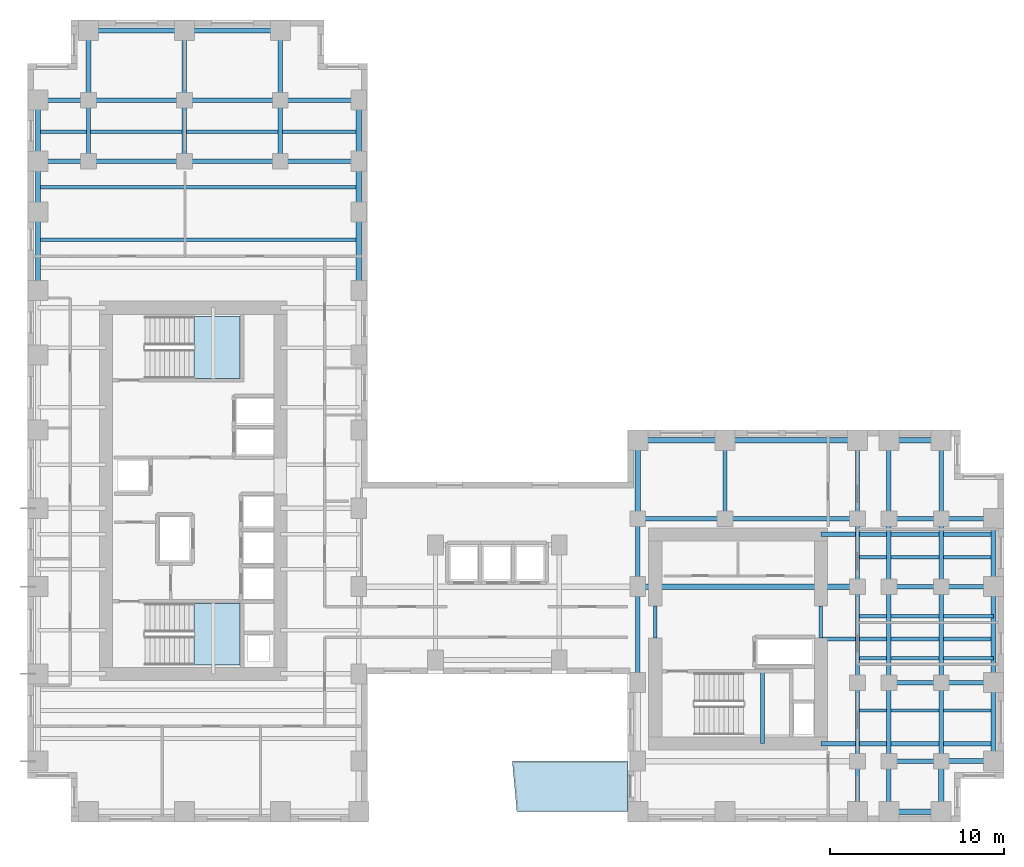
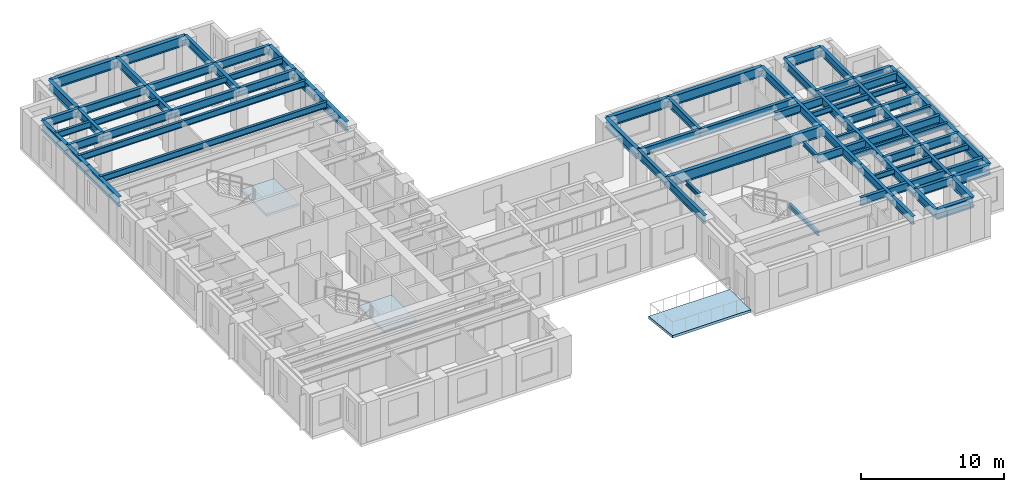
# One storey, part 2 of 12: 72 beams, 3 slabs, 2 elements without a shape of their own.
"""IFC4 building model written with IfcOpenShell, lengths in metres."""

from ifc_helpers import new_model, si_unit, direction, frame, origin, origin_2d, place, context, subcontext, project, spatial, polyline, i_section, outline, extrude, source, transform, mapped, material, layer, layer_set, material_profile, profile_set, type_object, element, aggregate, save


model = new_model("IFC4")

# Units and contexts
model_context = context("Model", 3, precision=1e-05, world=origin(), true_north=direction((0.0, 1.0)))
body_context = subcontext(model_context, "Body", "Model", "MODEL_VIEW")
ifc_project = project(units=[si_unit("LENGTHUNIT", "METRE"), si_unit("AREAUNIT", "SQUARE_METRE"), si_unit("VOLUMEUNIT", "CUBIC_METRE"), si_unit("PLANEANGLEUNIT", "RADIAN"), si_unit("MASSUNIT", "GRAM", prefix="KILO")], contexts=[model_context])

# Site, building, storey
site_placement = place(None, origin())
site = spatial("IfcSite", under=ifc_project, at=site_placement, CompositionType="ELEMENT")
building_placement = place(site_placement, origin())
building = spatial("IfcBuilding", under=site, at=building_placement, Name="Kharzan Plaza Tower", CompositionType="ELEMENT")
storey_placement = place(building_placement, frame((0.0, 0.0, 106.199951171875)))
storey = spatial("IfcBuildingStorey", under=building, at=storey_placement, Name="L28", CompositionType="ELEMENT", Elevation=106.199951171875)

# Beams
ifc_material_1 = material(Name="Steel S355", Category="steel")
ifc_material_profile_1 = material_profile(ifc_material_1, i_section(OverallWidth=0.205078125, OverallDepth=0.35400390625, WebThickness=0.009521484375, FlangeThickness=0.016845703125, at=origin_2d()), Name="W360x79")
ifc_profile_set_1 = profile_set([ifc_material_profile_1], Name="Steel S355")
beam_type_1 = type_object("IfcBeamType", Name="BM-LNT360", PredefinedType="LINTEL", material=ifc_profile_set_1)
shared_shape_1 = source(origin(), body_context, "Body", "SweptSolid", [
    extrude(i_section(OverallWidth=0.205078125, OverallDepth=0.35400390625, WebThickness=0.009521484375, FlangeThickness=0.016845703125, at=origin_2d()), origin(), (0.0, 0.0, 1.0), 1.849853515625),
])
for number, where, z_axis, x_axis, name in (
    (1, (45.5, 10.550048828125, 3.203125), (0.0, 1.0, 0.0), (-1.0, 0.0, 0.0), "L28 CORE-B coupling lintel LN1-WE"),
    (2, (36.0, 10.550048828125, 3.203125), (0.0, 1.0, 0.0), (-1.0, 0.0, 0.0), "L28 CORE-B coupling lintel LN1-WW"),
):
    element("IfcBeam", number, at=place(storey_placement, frame(where, z_axis=z_axis, x_axis=x_axis)), inside=storey, type_object=beam_type_1, Name=name, PredefinedType="LINTEL", context=body_context, shape_type="MappedRepresentation", body=[
        mapped(shared_shape_1, transform((0.0, 0.0, 0.0), x_axis=(1.0, 0.0, 0.0), y_axis=(0.0, 1.0, 0.0), z_axis=(0.0, 0.0, 1.0))),
    ])
shared_shape_2 = source(origin(), body_context, "Body", "SweptSolid", [
    extrude(i_section(OverallWidth=0.205078125, OverallDepth=0.35400390625, WebThickness=0.009521484375, FlangeThickness=0.016845703125, at=origin_2d()), origin(), (0.0, 0.0, 1.0), 4.155029296875),
])
beam_1_placement = place(storey_placement, frame((42.14990234375, 4.5, 1.423095703125), z_axis=(0.0, 1.0, 0.0), x_axis=(-1.0, 0.0, 0.0)))
element("IfcBeam", 3, at=beam_1_placement, inside=storey, type_object=beam_type_1, Name="L28 Stair ST-3 Half-Landing Beam", PredefinedType="LINTEL", context=body_context, shape_type="MappedRepresentation", body=[
    mapped(shared_shape_2, transform((0.0, 0.0, 0.0), x_axis=(1.0, 0.0, 0.0), y_axis=(0.0, 1.0, 0.0), z_axis=(0.0, 0.0, 1.0))),
])
ifc_material_profile_2 = material_profile(ifc_material_1, i_section(OverallWidth=0.304931640625, OverallDepth=0.9189453125, WebThickness=0.017333984375, FlangeThickness=0.02783203125, at=origin_2d()), Name="W920x253")
ifc_profile_set_2 = profile_set([ifc_material_profile_2], Name="Steel S355")
beam_type_2 = type_object("IfcBeamType", Name="BM-FG920B", PredefinedType="BEAM", material=ifc_profile_set_2)
shared_shape_3 = source(origin(), body_context, "Body", "SweptSolid", [
    extrude(i_section(OverallWidth=0.304931640625, OverallDepth=0.9189453125, WebThickness=0.017333984375, FlangeThickness=0.02783203125, at=origin_2d()), origin(), (0.0, 0.0, 1.0), 12.60009765625),
])
beam_2_placement = place(storey_placement, frame((35.0, 13.5, 2.920654296875), z_axis=(1.0, 0.0, 0.0), x_axis=(0.0, 1.0, 0.0)))
element("IfcBeam", 4, at=beam_2_placement, inside=storey, type_object=beam_type_2, Name="L28 Primary Floor Girder", PredefinedType="BEAM", context=body_context, shape_type="MappedRepresentation", body=[
    mapped(shared_shape_3, transform((0.0, 0.0, 0.0), x_axis=(1.0, 0.0, 0.0), y_axis=(0.0, 1.0, 0.0), z_axis=(0.0, 0.0, 1.0))),
])
ifc_material_profile_3 = material_profile(ifc_material_1, i_section(OverallWidth=0.2099609375, OverallDepth=0.537109375, WebThickness=0.010986328125, FlangeThickness=0.017333984375, at=origin_2d()), Name="W530x101")
ifc_profile_set_3 = profile_set([ifc_material_profile_3], Name="Steel S355")
beam_type_3 = type_object("IfcBeamType", Name="BM-JST530B", PredefinedType="JOIST", material=ifc_profile_set_3)
shared_shape_4 = source(origin(), body_context, "Body", "SweptSolid", [
    extrude(i_section(OverallWidth=0.2099609375, OverallDepth=0.537109375, WebThickness=0.010986328125, FlangeThickness=0.017333984375, at=origin_2d()), origin(), (0.0, 0.0, 1.0), 18.39990234375),
])
for number, where, z_axis, x_axis, name in (
    (5, (0.60009765625, 33.39990234375, 3.111572265625), (1.0, 0.0, 0.0), (0.0, 1.0, 0.0), "L28 Wing A Composite Joist 05"),
    (6, (0.60009765625, 36.39990234375, 3.111572265625), (1.0, 0.0, 0.0), (0.0, 1.0, 0.0), "L28 Wing A Composite Joist 06"),
    (7, (0.60009765625, 39.60009765625, 3.111572265625), (1.0, 0.0, 0.0), (0.0, 1.0, 0.0), "L28 Wing A Composite Joist 07"),
):
    element("IfcBeam", number, at=place(storey_placement, frame(where, z_axis=z_axis, x_axis=x_axis)), inside=storey, type_object=beam_type_3, Name=name, PredefinedType="JOIST", context=body_context, shape_type="MappedRepresentation", body=[
        mapped(shared_shape_4, transform((0.0, 0.0, 0.0), x_axis=(1.0, 0.0, 0.0), y_axis=(0.0, 1.0, 0.0), z_axis=(0.0, 0.0, 1.0))),
    ])
ifc_material_profile_4 = material_profile(ifc_material_1, i_section(OverallWidth=0.25390625, OverallDepth=0.68798828125, WebThickness=0.01318359375, FlangeThickness=0.02099609375, at=origin_2d()), Name="W690x152")
ifc_profile_set_4 = profile_set([ifc_material_profile_4], Name="Steel S355")
beam_type_4 = type_object("IfcBeamType", Name="BM-FG690B", PredefinedType="BEAM", material=ifc_profile_set_4)
shared_shape_5 = source(origin(), body_context, "Body", "SweptSolid", [
    extrude(i_section(OverallWidth=0.25390625, OverallDepth=0.68798828125, WebThickness=0.01318359375, FlangeThickness=0.02099609375, at=origin_2d()), origin(), (0.0, 0.0, 1.0), 4.5),
])
for number, where, z_axis, x_axis, name in (
    (8, (40.0, 17.39990234375, 3.0361328125), (0.0, 1.0, 0.0), (-1.0, 0.0, 0.0), "L28 Interior Frame Girder"),
    (9, (47.60009765625, 3.5, 3.0361328125), (0.0, 1.0, 0.0), (-1.0, 0.0, 0.0), "L28 Interior Frame Girder"),
    (10, (47.60009765625, 17.39990234375, 3.0361328125), (0.0, 1.0, 0.0), (-1.0, 0.0, 0.0), "L28 Interior Frame Girder"),
    (11, (49.39990234375, 3.5, 3.0361328125), (0.0, 1.0, 0.0), (-1.0, 0.0, 0.0), "L28 Interior Frame Girder"),
    (12, (49.39990234375, 17.39990234375, 3.0361328125), (0.0, 1.0, 0.0), (-1.0, 0.0, 0.0), "L28 Interior Frame Girder"),
    (13, (52.39990234375, 3.5, 3.0361328125), (0.0, 1.0, 0.0), (-1.0, 0.0, 0.0), "L28 Interior Frame Girder"),
    (14, (52.39990234375, 17.39990234375, 3.0361328125), (0.0, 1.0, 0.0), (-1.0, 0.0, 0.0), "L28 Interior Frame Girder"),
    (15, (14.5, 37.89990234375, 3.0361328125), (1.0, 0.0, 0.0), (0.0, 1.0, 0.0), "L28 Primary Floor Girder"),
    (16, (14.5, 41.39990234375, 3.0361328125), (1.0, 0.0, 0.0), (0.0, 1.0, 0.0), "L28 Primary Floor Girder"),
):
    element("IfcBeam", number, at=place(storey_placement, frame(where, z_axis=z_axis, x_axis=x_axis)), inside=storey, type_object=beam_type_4, Name=name, PredefinedType="BEAM", context=body_context, shape_type="MappedRepresentation", body=[
        mapped(shared_shape_5, transform((0.0, 0.0, 0.0), x_axis=(1.0, 0.0, 0.0), y_axis=(0.0, 1.0, 0.0), z_axis=(0.0, 0.0, 1.0))),
    ])
shared_shape_6 = source(origin(), body_context, "Body", "SweptSolid", [
    extrude(i_section(OverallWidth=0.25390625, OverallDepth=0.68798828125, WebThickness=0.01318359375, FlangeThickness=0.02099609375, at=origin_2d()), origin(), (0.0, 0.0, 1.0), 3.89990234375),
])
for number, where, z_axis, x_axis, name in (
    (17, (35.0, 13.5, 3.0361328125), (0.0, 1.0, 0.0), (-1.0, 0.0, 0.0), "L28 Interior Frame Girder"),
    (18, (47.60009765625, 13.5, 3.0361328125), (0.0, 1.0, 0.0), (-1.0, 0.0, 0.0), "L28 Interior Frame Girder"),
    (19, (49.39990234375, 13.5, 3.0361328125), (0.0, 1.0, 0.0), (-1.0, 0.0, 0.0), "L28 Interior Frame Girder"),
    (20, (52.39990234375, 13.5, 3.0361328125), (0.0, 1.0, 0.0), (-1.0, 0.0, 0.0), "L28 Interior Frame Girder"),
):
    element("IfcBeam", number, at=place(storey_placement, frame(where, z_axis=z_axis, x_axis=x_axis)), inside=storey, type_object=beam_type_4, Name=name, PredefinedType="BEAM", context=body_context, shape_type="MappedRepresentation", body=[
        mapped(shared_shape_6, transform((0.0, 0.0, 0.0), x_axis=(1.0, 0.0, 0.0), y_axis=(0.0, 1.0, 0.0), z_axis=(0.0, 0.0, 1.0))),
    ])
shared_shape_7 = source(origin(), body_context, "Body", "SweptSolid", [
    extrude(i_section(OverallWidth=0.25390625, OverallDepth=0.68798828125, WebThickness=0.01318359375, FlangeThickness=0.02099609375, at=origin_2d()), origin(), (0.0, 0.0, 1.0), 9.89990234375),
])
for number, where, z_axis, x_axis, name in (
    (21, (45.5, 4.5, 3.0361328125), (1.0, 0.0, 0.0), (0.0, 1.0, 0.0), "L28 Core-B East Floor Girder 1"),
    (22, (45.5, 10.5, 3.0361328125), (1.0, 0.0, 0.0), (0.0, 1.0, 0.0), "L28 Core-B East Floor Girder 2"),
    (23, (45.5, 16.5, 3.0361328125), (1.0, 0.0, 0.0), (0.0, 1.0, 0.0), "L28 Core-B East Floor Girder 3"),
):
    element("IfcBeam", number, at=place(storey_placement, frame(where, z_axis=z_axis, x_axis=x_axis)), inside=storey, type_object=beam_type_4, Name=name, PredefinedType="BEAM", context=body_context, shape_type="MappedRepresentation", body=[
        mapped(shared_shape_7, transform((0.0, 0.0, 0.0), x_axis=(1.0, 0.0, 0.0), y_axis=(0.0, 1.0, 0.0), z_axis=(0.0, 0.0, 1.0))),
    ])
shared_shape_8 = source(origin(), body_context, "Body", "SweptSolid", [
    extrude(i_section(OverallWidth=0.25390625, OverallDepth=0.68798828125, WebThickness=0.01318359375, FlangeThickness=0.02099609375, at=origin_2d()), origin(), (0.0, 0.0, 1.0), 3.5),
])
for number, where, z_axis, x_axis, name in (
    (24, (3.5, 37.89990234375, 3.0361328125), (0.0, 1.0, 0.0), (-1.0, 0.0, 0.0), "L28 Interior Frame Girder"),
    (25, (9.0, 37.89990234375, 3.0361328125), (0.0, 1.0, 0.0), (-1.0, 0.0, 0.0), "L28 Interior Frame Girder"),
    (26, (14.5, 37.89990234375, 3.0361328125), (0.0, 1.0, 0.0), (-1.0, 0.0, 0.0), "L28 Interior Frame Girder"),
):
    element("IfcBeam", number, at=place(storey_placement, frame(where, z_axis=z_axis, x_axis=x_axis)), inside=storey, type_object=beam_type_4, Name=name, PredefinedType="BEAM", context=body_context, shape_type="MappedRepresentation", body=[
        mapped(shared_shape_8, transform((0.0, 0.0, 0.0), x_axis=(1.0, 0.0, 0.0), y_axis=(0.0, 1.0, 0.0), z_axis=(0.0, 0.0, 1.0))),
    ])
shared_shape_9 = source(origin(), body_context, "Body", "SweptSolid", [
    extrude(i_section(OverallWidth=0.25390625, OverallDepth=0.68798828125, WebThickness=0.01318359375, FlangeThickness=0.02099609375, at=origin_2d()), origin(), (0.0, 0.0, 1.0), 4.0),
])
for number, where, z_axis, x_axis, name in (
    (27, (9.0, 41.39990234375, 3.0361328125), (0.0, 1.0, 0.0), (-1.0, 0.0, 0.0), "L28 Interior Frame Girder"),
    (28, (14.5, 41.39990234375, 3.0361328125), (0.0, 1.0, 0.0), (-1.0, 0.0, 0.0), "L28 Interior Frame Girder"),
):
    element("IfcBeam", number, at=place(storey_placement, frame(where, z_axis=z_axis, x_axis=x_axis)), inside=storey, type_object=beam_type_4, Name=name, PredefinedType="BEAM", context=body_context, shape_type="MappedRepresentation", body=[
        mapped(shared_shape_9, transform((0.0, 0.0, 0.0), x_axis=(1.0, 0.0, 0.0), y_axis=(0.0, 1.0, 0.0), z_axis=(0.0, 0.0, 1.0))),
    ])
shared_shape_10 = source(origin(), body_context, "Body", "SweptSolid", [
    extrude(i_section(OverallWidth=0.25390625, OverallDepth=0.68798828125, WebThickness=0.01318359375, FlangeThickness=0.02099609375, at=origin_2d()), origin(), (0.0, 0.0, 1.0), 5.0),
])
beam_3_placement = place(storey_placement, frame((35.0, 17.39990234375, 3.0361328125), z_axis=(1.0, 0.0, 0.0), x_axis=(0.0, 1.0, 0.0)))
element("IfcBeam", 29, at=beam_3_placement, inside=storey, type_object=beam_type_4, Name="L28 Primary Floor Girder", PredefinedType="BEAM", context=body_context, shape_type="MappedRepresentation", body=[
    mapped(shared_shape_10, transform((0.0, 0.0, 0.0), x_axis=(1.0, 0.0, 0.0), y_axis=(0.0, 1.0, 0.0), z_axis=(0.0, 0.0, 1.0))),
])
shared_shape_11 = source(origin(), body_context, "Body", "SweptSolid", [
    extrude(i_section(OverallWidth=0.25390625, OverallDepth=0.68798828125, WebThickness=0.01318359375, FlangeThickness=0.02099609375, at=origin_2d()), origin(), (0.0, 0.0, 1.0), 5.5),
])
for number, where, z_axis, x_axis, name in (
    (30, (35.0, 8.0, 3.0361328125), (0.0, 1.0, 0.0), (-1.0, 0.0, 0.0), "L28 Interior Frame Girder"),
    (31, (47.60009765625, 8.0, 3.0361328125), (0.0, 1.0, 0.0), (-1.0, 0.0, 0.0), "L28 Interior Frame Girder"),
    (32, (49.39990234375, 8.0, 3.0361328125), (0.0, 1.0, 0.0), (-1.0, 0.0, 0.0), "L28 Interior Frame Girder"),
    (33, (52.39990234375, 8.0, 3.0361328125), (0.0, 1.0, 0.0), (-1.0, 0.0, 0.0), "L28 Interior Frame Girder"),
    (34, (3.5, 37.89990234375, 3.0361328125), (1.0, 0.0, 0.0), (0.0, 1.0, 0.0), "L28 Primary Floor Girder"),
    (35, (9.0, 37.89990234375, 3.0361328125), (1.0, 0.0, 0.0), (0.0, 1.0, 0.0), "L28 Primary Floor Girder"),
    (36, (3.5, 41.39990234375, 3.0361328125), (1.0, 0.0, 0.0), (0.0, 1.0, 0.0), "L28 Primary Floor Girder"),
    (37, (9.0, 41.39990234375, 3.0361328125), (1.0, 0.0, 0.0), (0.0, 1.0, 0.0), "L28 Primary Floor Girder"),
):
    element("IfcBeam", number, at=place(storey_placement, frame(where, z_axis=z_axis, x_axis=x_axis)), inside=storey, type_object=beam_type_4, Name=name, PredefinedType="BEAM", context=body_context, shape_type="MappedRepresentation", body=[
        mapped(shared_shape_11, transform((0.0, 0.0, 0.0), x_axis=(1.0, 0.0, 0.0), y_axis=(0.0, 1.0, 0.0), z_axis=(0.0, 0.0, 1.0))),
    ])
shared_shape_12 = source(origin(), body_context, "Body", "SweptSolid", [
    extrude(i_section(OverallWidth=0.25390625, OverallDepth=0.68798828125, WebThickness=0.01318359375, FlangeThickness=0.02099609375, at=origin_2d()), origin(), (0.0, 0.0, 1.0), 2.89990234375),
])
for number, where, z_axis, x_axis, name in (
    (38, (47.60009765625, 0.60009765625, 3.0361328125), (0.0, 1.0, 0.0), (-1.0, 0.0, 0.0), "L28 Interior Frame Girder"),
    (39, (49.39990234375, 0.60009765625, 3.0361328125), (0.0, 1.0, 0.0), (-1.0, 0.0, 0.0), "L28 Interior Frame Girder"),
    (40, (0.60009765625, 37.89990234375, 3.0361328125), (1.0, 0.0, 0.0), (0.0, 1.0, 0.0), "L28 Primary Floor Girder"),
    (41, (0.60009765625, 41.39990234375, 3.0361328125), (1.0, 0.0, 0.0), (0.0, 1.0, 0.0), "L28 Primary Floor Girder"),
):
    element("IfcBeam", number, at=place(storey_placement, frame(where, z_axis=z_axis, x_axis=x_axis)), inside=storey, type_object=beam_type_4, Name=name, PredefinedType="BEAM", context=body_context, shape_type="MappedRepresentation", body=[
        mapped(shared_shape_12, transform((0.0, 0.0, 0.0), x_axis=(1.0, 0.0, 0.0), y_axis=(0.0, 1.0, 0.0), z_axis=(0.0, 0.0, 1.0))),
    ])
shared_shape_13 = source(origin(), body_context, "Body", "SweptSolid", [
    extrude(i_section(OverallWidth=0.25390625, OverallDepth=0.68798828125, WebThickness=0.01318359375, FlangeThickness=0.02099609375, at=origin_2d()), origin(), (0.0, 0.0, 1.0), 3.0),
])
for number, where, z_axis, x_axis, name in (
    (42, (49.39990234375, 3.5, 3.0361328125), (1.0, 0.0, 0.0), (0.0, 1.0, 0.0), "L28 Primary Floor Girder"),
    (43, (49.39990234375, 8.0, 3.0361328125), (1.0, 0.0, 0.0), (0.0, 1.0, 0.0), "L28 Primary Floor Girder"),
    (44, (52.39990234375, 8.0, 3.0361328125), (1.0, 0.0, 0.0), (0.0, 1.0, 0.0), "L28 Primary Floor Girder"),
    (45, (49.39990234375, 13.5, 3.0361328125), (1.0, 0.0, 0.0), (0.0, 1.0, 0.0), "L28 Primary Floor Girder"),
    (46, (52.39990234375, 13.5, 3.0361328125), (1.0, 0.0, 0.0), (0.0, 1.0, 0.0), "L28 Primary Floor Girder"),
    (47, (49.39990234375, 17.39990234375, 3.0361328125), (1.0, 0.0, 0.0), (0.0, 1.0, 0.0), "L28 Primary Floor Girder"),
    (48, (52.39990234375, 17.39990234375, 3.0361328125), (1.0, 0.0, 0.0), (0.0, 1.0, 0.0), "L28 Primary Floor Girder"),
):
    element("IfcBeam", number, at=place(storey_placement, frame(where, z_axis=z_axis, x_axis=x_axis)), inside=storey, type_object=beam_type_4, Name=name, PredefinedType="BEAM", context=body_context, shape_type="MappedRepresentation", body=[
        mapped(shared_shape_13, transform((0.0, 0.0, 0.0), x_axis=(1.0, 0.0, 0.0), y_axis=(0.0, 1.0, 0.0), z_axis=(0.0, 0.0, 1.0))),
    ])
shared_shape_14 = source(origin(), body_context, "Body", "SweptSolid", [
    extrude(i_section(OverallWidth=0.25390625, OverallDepth=0.68798828125, WebThickness=0.01318359375, FlangeThickness=0.02099609375, at=origin_2d()), origin(), (0.0, 0.0, 1.0), 7.60009765625),
])
beam_4_placement = place(storey_placement, frame((40.0, 17.39990234375, 3.0361328125), z_axis=(1.0, 0.0, 0.0), x_axis=(0.0, 1.0, 0.0)))
element("IfcBeam", 49, at=beam_4_placement, inside=storey, type_object=beam_type_4, Name="L28 Primary Floor Girder", PredefinedType="BEAM", context=body_context, shape_type="MappedRepresentation", body=[
    mapped(shared_shape_14, transform((0.0, 0.0, 0.0), x_axis=(1.0, 0.0, 0.0), y_axis=(0.0, 1.0, 0.0), z_axis=(0.0, 0.0, 1.0))),
])
ifc_material_profile_5 = material_profile(ifc_material_1, i_section(OverallWidth=0.194091796875, OverallDepth=0.468994140625, WebThickness=0.011474609375, FlangeThickness=0.0205078125, at=origin_2d()), Name="W460x106")
ifc_profile_set_5 = profile_set([ifc_material_profile_5], Name="Steel S355")
beam_type_5 = type_object("IfcBeamType", Name="BM-JST460", PredefinedType="JOIST", material=ifc_profile_set_5)
shared_shape_15 = source(origin(), body_context, "Body", "SweptSolid", [
    extrude(i_section(OverallWidth=0.194091796875, OverallDepth=0.468994140625, WebThickness=0.011474609375, FlangeThickness=0.0205078125, at=origin_2d()), origin(), (0.0, 0.0, 1.0), 7.7998046875),
])
for number, where, z_axis, x_axis, name in (
    (50, (47.60009765625, 6.39990234375, 3.1455078125), (1.0, 0.0, 0.0), (0.0, 1.0, 0.0), "L28 Wing B Composite Joist 02"),
    (51, (47.60009765625, 9.39990234375, 3.1455078125), (1.0, 0.0, 0.0), (0.0, 1.0, 0.0), "L28 Wing B Composite Joist 03"),
    (52, (47.60009765625, 11.800048828125, 3.1455078125), (1.0, 0.0, 0.0), (0.0, 1.0, 0.0), "L28 Wing B Composite Joist 04"),
    (53, (47.60009765625, 15.199951171875, 3.1455078125), (1.0, 0.0, 0.0), (0.0, 1.0, 0.0), "L28 Wing B Composite Joist 05"),
):
    element("IfcBeam", number, at=place(storey_placement, frame(where, z_axis=z_axis, x_axis=x_axis)), inside=storey, type_object=beam_type_5, Name=name, PredefinedType="JOIST", context=body_context, shape_type="MappedRepresentation", body=[
        mapped(shared_shape_15, transform((0.0, 0.0, 0.0), x_axis=(1.0, 0.0, 0.0), y_axis=(0.0, 1.0, 0.0), z_axis=(0.0, 0.0, 1.0))),
    ])
ifc_material_profile_6 = material_profile(ifc_material_1, i_section(OverallWidth=0.299072265625, OverallDepth=0.845947265625, WebThickness=0.015380859375, FlangeThickness=0.0244140625, at=origin_2d()), Name="W840x210")
ifc_profile_set_6 = profile_set([ifc_material_profile_6], Name="Steel S355")
beam_type_6 = type_object("IfcBeamType", Name="BM-SP840B", PredefinedType="SPANDREL", material=ifc_profile_set_6)
shared_shape_16 = source(origin(), body_context, "Body", "SweptSolid", [
    extrude(i_section(OverallWidth=0.299072265625, OverallDepth=0.845947265625, WebThickness=0.015380859375, FlangeThickness=0.0244140625, at=origin_2d()), origin(), (0.0, 0.0, 1.0), 5.0),
])
beam_5_placement = place(storey_placement, frame((35.0, 21.89990234375, 2.95703125), z_axis=(1.0, 0.0, 0.0), x_axis=(0.0, 1.0, 0.0)))
element("IfcBeam", 54, at=beam_5_placement, inside=storey, type_object=beam_type_6, Name="L28 Perimeter Tube Spandrel", PredefinedType="SPANDREL", context=body_context, shape_type="MappedRepresentation", body=[
    mapped(shared_shape_16, transform((0.0, 0.0, 0.0), x_axis=(1.0, 0.0, 0.0), y_axis=(0.0, 1.0, 0.0), z_axis=(0.0, 0.0, 1.0))),
])
shared_shape_17 = source(origin(), body_context, "Body", "SweptSolid", [
    extrude(i_section(OverallWidth=0.299072265625, OverallDepth=0.845947265625, WebThickness=0.015380859375, FlangeThickness=0.0244140625, at=origin_2d()), origin(), (0.0, 0.0, 1.0), 4.5),
])
for number, where, z_axis, x_axis, name in (
    (55, (0.60009765625, 30.5, 2.95703125), (0.0, 1.0, 0.0), (-1.0, 0.0, 0.0), "L28 Perimeter Tube Spandrel"),
    (56, (19.0, 30.5, 2.95703125), (0.0, 1.0, 0.0), (-1.0, 0.0, 0.0), "L28 Perimeter Tube Spandrel"),
    (57, (35.0, 17.39990234375, 2.95703125), (0.0, 1.0, 0.0), (-1.0, 0.0, 0.0), "L28 Perimeter Tube Spandrel"),
    (58, (55.39990234375, 3.5, 2.95703125), (0.0, 1.0, 0.0), (-1.0, 0.0, 0.0), "L28 Perimeter Tube Spandrel"),
):
    element("IfcBeam", number, at=place(storey_placement, frame(where, z_axis=z_axis, x_axis=x_axis)), inside=storey, type_object=beam_type_6, Name=name, PredefinedType="SPANDREL", context=body_context, shape_type="MappedRepresentation", body=[
        mapped(shared_shape_17, transform((0.0, 0.0, 0.0), x_axis=(1.0, 0.0, 0.0), y_axis=(0.0, 1.0, 0.0), z_axis=(0.0, 0.0, 1.0))),
    ])
shared_shape_18 = source(origin(), body_context, "Body", "SweptSolid", [
    extrude(i_section(OverallWidth=0.299072265625, OverallDepth=0.845947265625, WebThickness=0.015380859375, FlangeThickness=0.0244140625, at=origin_2d()), origin(), (0.0, 0.0, 1.0), 2.89990234375),
])
for number, where, z_axis, x_axis, name in (
    (59, (0.60009765625, 35.0, 2.95703125), (0.0, 1.0, 0.0), (-1.0, 0.0, 0.0), "L28 Perimeter Tube Spandrel"),
    (60, (19.0, 35.0, 2.95703125), (0.0, 1.0, 0.0), (-1.0, 0.0, 0.0), "L28 Perimeter Tube Spandrel"),
    (61, (52.39990234375, 0.60009765625, 2.95703125), (0.0, 1.0, 0.0), (-1.0, 0.0, 0.0), "L28 Perimeter Tube Spandrel"),
):
    element("IfcBeam", number, at=place(storey_placement, frame(where, z_axis=z_axis, x_axis=x_axis)), inside=storey, type_object=beam_type_6, Name=name, PredefinedType="SPANDREL", context=body_context, shape_type="MappedRepresentation", body=[
        mapped(shared_shape_18, transform((0.0, 0.0, 0.0), x_axis=(1.0, 0.0, 0.0), y_axis=(0.0, 1.0, 0.0), z_axis=(0.0, 0.0, 1.0))),
    ])
shared_shape_19 = source(origin(), body_context, "Body", "SweptSolid", [
    extrude(i_section(OverallWidth=0.299072265625, OverallDepth=0.845947265625, WebThickness=0.015380859375, FlangeThickness=0.0244140625, at=origin_2d()), origin(), (0.0, 0.0, 1.0), 3.5),
])
for number, where, z_axis, x_axis, name in (
    (62, (0.60009765625, 37.89990234375, 2.95703125), (0.0, 1.0, 0.0), (-1.0, 0.0, 0.0), "L28 Perimeter Tube Spandrel"),
    (63, (19.0, 37.89990234375, 2.95703125), (0.0, 1.0, 0.0), (-1.0, 0.0, 0.0), "L28 Perimeter Tube Spandrel"),
):
    element("IfcBeam", number, at=place(storey_placement, frame(where, z_axis=z_axis, x_axis=x_axis)), inside=storey, type_object=beam_type_6, Name=name, PredefinedType="SPANDREL", context=body_context, shape_type="MappedRepresentation", body=[
        mapped(shared_shape_19, transform((0.0, 0.0, 0.0), x_axis=(1.0, 0.0, 0.0), y_axis=(0.0, 1.0, 0.0), z_axis=(0.0, 0.0, 1.0))),
    ])
shared_shape_20 = source(origin(), body_context, "Body", "SweptSolid", [
    extrude(i_section(OverallWidth=0.299072265625, OverallDepth=0.845947265625, WebThickness=0.015380859375, FlangeThickness=0.0244140625, at=origin_2d()), origin(), (0.0, 0.0, 1.0), 4.0),
])
beam_6_placement = place(storey_placement, frame((3.5, 41.39990234375, 2.95703125), z_axis=(0.0, 1.0, 0.0), x_axis=(-1.0, 0.0, 0.0)))
element("IfcBeam", 64, at=beam_6_placement, inside=storey, type_object=beam_type_6, Name="L28 Perimeter Tube Spandrel", PredefinedType="SPANDREL", context=body_context, shape_type="MappedRepresentation", body=[
    mapped(shared_shape_20, transform((0.0, 0.0, 0.0), x_axis=(1.0, 0.0, 0.0), y_axis=(0.0, 1.0, 0.0), z_axis=(0.0, 0.0, 1.0))),
])
shared_shape_21 = source(origin(), body_context, "Body", "SweptSolid", [
    extrude(i_section(OverallWidth=0.299072265625, OverallDepth=0.845947265625, WebThickness=0.015380859375, FlangeThickness=0.0244140625, at=origin_2d()), origin(), (0.0, 0.0, 1.0), 5.5),
])
for number, where, z_axis, x_axis, name in (
    (65, (55.39990234375, 8.0, 2.95703125), (0.0, 1.0, 0.0), (-1.0, 0.0, 0.0), "L28 Perimeter Tube Spandrel"),
    (66, (3.5, 45.39990234375, 2.95703125), (1.0, 0.0, 0.0), (0.0, 1.0, 0.0), "L28 Perimeter Tube Spandrel"),
    (67, (9.0, 45.39990234375, 2.95703125), (1.0, 0.0, 0.0), (0.0, 1.0, 0.0), "L28 Perimeter Tube Spandrel"),
):
    element("IfcBeam", number, at=place(storey_placement, frame(where, z_axis=z_axis, x_axis=x_axis)), inside=storey, type_object=beam_type_6, Name=name, PredefinedType="SPANDREL", context=body_context, shape_type="MappedRepresentation", body=[
        mapped(shared_shape_21, transform((0.0, 0.0, 0.0), x_axis=(1.0, 0.0, 0.0), y_axis=(0.0, 1.0, 0.0), z_axis=(0.0, 0.0, 1.0))),
    ])
shared_shape_22 = source(origin(), body_context, "Body", "SweptSolid", [
    extrude(i_section(OverallWidth=0.299072265625, OverallDepth=0.845947265625, WebThickness=0.015380859375, FlangeThickness=0.0244140625, at=origin_2d()), origin(), (0.0, 0.0, 1.0), 3.89990234375),
])
beam_7_placement = place(storey_placement, frame((55.39990234375, 13.5, 2.95703125), z_axis=(0.0, 1.0, 0.0), x_axis=(-1.0, 0.0, 0.0)))
element("IfcBeam", 68, at=beam_7_placement, inside=storey, type_object=beam_type_6, Name="L28 Perimeter Tube Spandrel", PredefinedType="SPANDREL", context=body_context, shape_type="MappedRepresentation", body=[
    mapped(shared_shape_22, transform((0.0, 0.0, 0.0), x_axis=(1.0, 0.0, 0.0), y_axis=(0.0, 1.0, 0.0), z_axis=(0.0, 0.0, 1.0))),
])
shared_shape_23 = source(origin(), body_context, "Body", "SweptSolid", [
    extrude(i_section(OverallWidth=0.299072265625, OverallDepth=0.845947265625, WebThickness=0.015380859375, FlangeThickness=0.0244140625, at=origin_2d()), origin(), (0.0, 0.0, 1.0), 7.60009765625),
])
beam_8_placement = place(storey_placement, frame((40.0, 21.89990234375, 2.95703125), z_axis=(1.0, 0.0, 0.0), x_axis=(0.0, 1.0, 0.0)))
element("IfcBeam", 69, at=beam_8_placement, inside=storey, type_object=beam_type_6, Name="L28 Perimeter Tube Spandrel", PredefinedType="SPANDREL", context=body_context, shape_type="MappedRepresentation", body=[
    mapped(shared_shape_23, transform((0.0, 0.0, 0.0), x_axis=(1.0, 0.0, 0.0), y_axis=(0.0, 1.0, 0.0), z_axis=(0.0, 0.0, 1.0))),
])
shared_shape_24 = source(origin(), body_context, "Body", "SweptSolid", [
    extrude(i_section(OverallWidth=0.299072265625, OverallDepth=0.845947265625, WebThickness=0.015380859375, FlangeThickness=0.0244140625, at=origin_2d()), origin(), (0.0, 0.0, 1.0), 3.0),
])
for number, where, z_axis, x_axis, name in (
    (70, (49.39990234375, 0.60009765625, 2.95703125), (1.0, 0.0, 0.0), (0.0, 1.0, 0.0), "L28 Perimeter Tube Spandrel"),
    (71, (52.39990234375, 3.5, 2.95703125), (1.0, 0.0, 0.0), (0.0, 1.0, 0.0), "L28 Perimeter Tube Spandrel"),
    (72, (49.39990234375, 21.89990234375, 2.95703125), (1.0, 0.0, 0.0), (0.0, 1.0, 0.0), "L28 Perimeter Tube Spandrel"),
):
    element("IfcBeam", number, at=place(storey_placement, frame(where, z_axis=z_axis, x_axis=x_axis)), inside=storey, type_object=beam_type_6, Name=name, PredefinedType="SPANDREL", context=body_context, shape_type="MappedRepresentation", body=[
        mapped(shared_shape_24, transform((0.0, 0.0, 0.0), x_axis=(1.0, 0.0, 0.0), y_axis=(0.0, 1.0, 0.0), z_axis=(0.0, 0.0, 1.0))),
    ])

# Stair, slab
ifc_material_2 = material(Name="Concrete C40/50", Category="concrete")
stair_type_1 = type_object("IfcStairType", Name="STR-ST-1", PredefinedType="HALF_TURN_STAIR", material=ifc_material_2)
stair_1_placement = place(storey_placement, origin())
stair_1 = element("IfcStair", 73, at=stair_1_placement, inside=storey, type_object=stair_type_1, Name="L28 Protected Exit Stair ST-1", PredefinedType="HALF_TURN_STAIR")
ifc_layer_1 = layer(ifc_material_2, 0.219970703125)
ifc_layer_set_1 = layer_set([ifc_layer_1], Name="Concrete C40/50")
slab_type_1 = type_object("IfcSlabType", Name="SL-LANDING-220", PredefinedType="LANDING", material=ifc_layer_set_1)
slab_1_placement = place(storey_placement, frame((0.0, 0.0, 1.60009765625)))
slab_1 = element("IfcSlab", 74, at=slab_1_placement, type_object=slab_type_1, Name="ST-1 landing 1", PredefinedType="LANDING", context=body_context, shape_type="SweptSolid", body=[
    extrude(outline(polyline([(9.550048828125, 9.0), (12.199951171875, 9.0), (12.199951171875, 12.550048828125), (9.550048828125, 12.550048828125), (9.550048828125, 9.0)])), origin(), (0.0, 0.0, 1.0), 0.199951171875),
])
aggregate(stair_1, [slab_1])

stair_type_2 = type_object("IfcStairType", Name="STR-ST-2", PredefinedType="HALF_TURN_STAIR", material=ifc_material_2)
stair_2_placement = place(storey_placement, origin())
stair_2 = element("IfcStair", 75, at=stair_2_placement, inside=storey, type_object=stair_type_2, Name="L28 Protected Exit Stair ST-2", PredefinedType="HALF_TURN_STAIR")
slab_2_placement = place(storey_placement, frame((0.0, 0.0, 1.60009765625)))
slab_2 = element("IfcSlab", 76, at=slab_2_placement, type_object=slab_type_1, Name="ST-2 landing 1", PredefinedType="LANDING", context=body_context, shape_type="SweptSolid", body=[
    extrude(outline(polyline([(9.550048828125, 25.449951171875), (12.199951171875, 25.449951171875), (12.199951171875, 29.0), (9.550048828125, 29.0), (9.550048828125, 25.449951171875)])), origin(), (0.0, 0.0, 1.0), 0.199951171875),
])
aggregate(stair_2, [slab_2])

# Slab
ifc_layer_2 = layer(ifc_material_2, 0.215087890625)
ifc_layer_set_2 = layer_set([ifc_layer_2], Name="Concrete C40/50")
slab_type_2 = type_object("IfcSlabType", Name="SL-TRAY-215", PredefinedType="ROOF", material=ifc_layer_set_2)
slab_3_placement = place(storey_placement, frame((0.0, 0.0, -0.21484375)))
element("IfcSlab", 77, at=slab_3_placement, inside=storey, type_object=slab_type_2, Name="L28 Sky Terrace Tray Slab", PredefinedType="ROOF", context=body_context, shape_type="SweptSolid", body=[
    extrude(outline(polyline([(28.06396484375, 0.60009765625), (34.39990234375, 0.60009765625), (34.39990234375, 3.5), (27.800048828125, 3.5), (28.06396484375, 0.60009765625)])), origin(), (0.0, 0.0, 1.0), 0.21484375),
])

save(model, "model.ifc")
